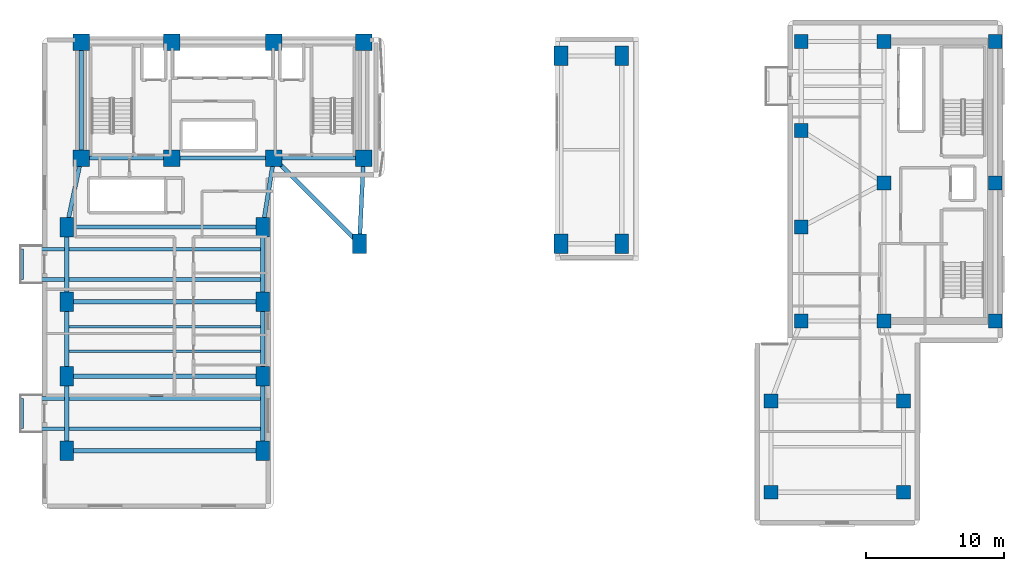
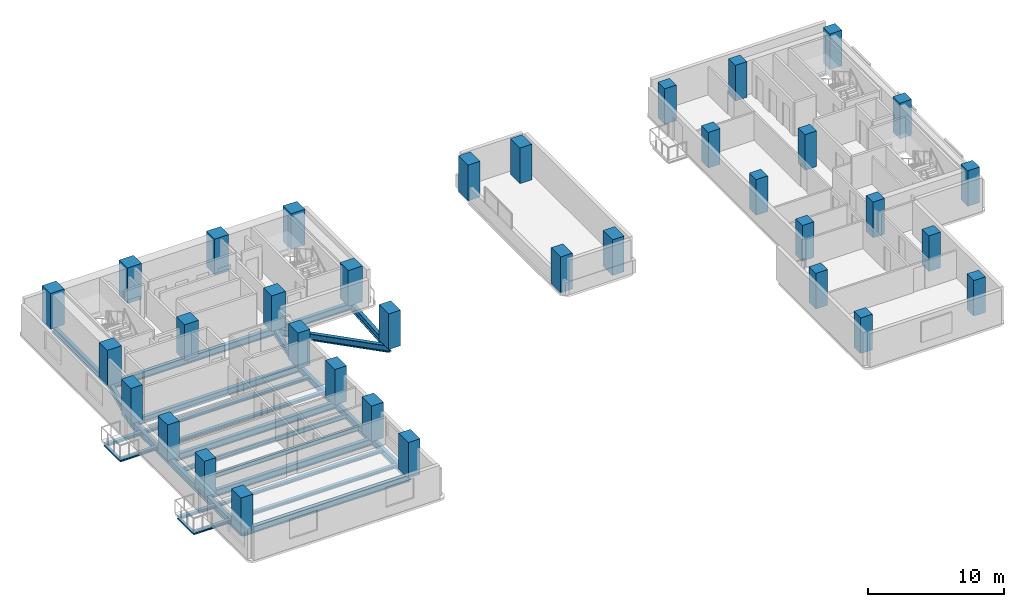
# One storey, part 1 of 12: 35 columns, 26 beams.
"""IFC4 building model written with IfcOpenShell, lengths in metres."""

from ifc_helpers import new_model, si_unit, direction, frame, origin, origin_2d, place, context, subcontext, project, spatial, rectangle, i_section, extrude, material, material_profile, profile_set, type_object, element, save


model = new_model("IFC4")

# Units and contexts
model_context = context("Model", 3, precision=1e-05, world=origin(), true_north=direction((0.0, 1.0)))
body_context = subcontext(model_context, "Body", "Model", "MODEL_VIEW")
ifc_project = project(units=[si_unit("LENGTHUNIT", "METRE"), si_unit("AREAUNIT", "SQUARE_METRE"), si_unit("VOLUMEUNIT", "CUBIC_METRE"), si_unit("PLANEANGLEUNIT", "RADIAN"), si_unit("MASSUNIT", "GRAM", prefix="KILO")], contexts=[model_context])

# Site, building, storey
site_placement = place(None, origin())
site = spatial("IfcSite", under=ifc_project, at=site_placement, CompositionType="ELEMENT")
building_placement = place(site_placement, origin())
building = spatial("IfcBuilding", under=site, at=building_placement, Name="Kuzgunbayir Cultural Tower", CompositionType="ELEMENT")
storey_placement = place(building_placement, frame((0.0, 0.0, 30.199951171875)))
storey = spatial("IfcBuildingStorey", under=building, at=storey_placement, Name="L07", CompositionType="ELEMENT", Elevation=30.199951171875)

# Columns
ifc_material_1 = material(Name="Concrete C60/75", Category="concrete")
ifc_material_profile_1 = material_profile(ifc_material_1, rectangle(XDim=1.199951171875, YDim=1.199951171875, at=origin_2d()), Name="RC 1200x1200")
ifc_profile_set_1 = profile_set([ifc_material_profile_1], Name="Concrete C60/75")
column_type_1 = type_object("IfcColumnType", Name="COL-CORE-1200", PredefinedType="COLUMN", material=ifc_profile_set_1)
for number, where, z_axis, x_axis, name in (
    (1, (6.449951171875, 33.800048828125, 0.0), (0.0, 0.0, 1.0), (1.0, 0.0, 0.0), "L07 T1 Core Boundary Column CC1-1"),
    (2, (13.0, 33.800048828125, 0.0), (0.0, 0.0, 1.0), (1.0, 0.0, 0.0), "L07 T1 Core Boundary Column CC1-2"),
    (3, (20.39990234375, 33.800048828125, 0.0), (0.0, 0.0, 1.0), (1.0, 0.0, 0.0), "L07 T1 Core Boundary Column CC1-3"),
    (4, (26.89990234375, 33.800048828125, 0.0), (0.0, 0.0, 1.0), (1.0, 0.0, 0.0), "L07 T1 Core Boundary Column CC1-4"),
    (5, (6.449951171875, 42.199951171875, 0.0), (0.0, 0.0, 1.0), (1.0, 0.0, 0.0), "L07 T1 Core Boundary Column CC1-5"),
    (6, (13.0, 42.199951171875, 0.0), (0.0, 0.0, 1.0), (1.0, 0.0, 0.0), "L07 T1 Core Boundary Column CC1-6"),
    (7, (20.39990234375, 42.199951171875, 0.0), (0.0, 0.0, 1.0), (1.0, 0.0, 0.0), "L07 T1 Core Boundary Column CC1-7"),
    (8, (26.89990234375, 42.199951171875, 0.0), (0.0, 0.0, 1.0), (1.0, 0.0, 0.0), "L07 T1 Core Boundary Column CC1-8"),
):
    element("IfcColumn", number, at=place(storey_placement, frame(where, z_axis=z_axis, x_axis=x_axis)), inside=storey, type_object=column_type_1, Name=name, PredefinedType="COLUMN", context=body_context, shape_type="SweptSolid", body=[
        extrude(rectangle(XDim=1.199951171875, YDim=1.199951171875, at=origin_2d()), origin(), (0.0, 0.0, 1.0), 3.199951171875),
    ])
ifc_material_profile_2 = material_profile(ifc_material_1, rectangle(XDim=1.0, YDim=1.39990234375, at=origin_2d()), Name="RC 1400x1000")
ifc_profile_set_2 = profile_set([ifc_material_profile_2], Name="Concrete C60/75")
column_type_2 = type_object("IfcColumnType", Name="COL-T1-1400x1000", PredefinedType="COLUMN", material=ifc_profile_set_2)
for number, where, z_axis, x_axis, name in (
    (9, (5.39990234375, 12.60009765625, 0.0), (0.0, 0.0, 1.0), (1.0, 0.0, 0.0), "L07 Tower 1 Wing A Column T1A-W-1"),
    (10, (19.60009765625, 12.60009765625, 0.0), (0.0, 0.0, 1.0), (1.0, 0.0, 0.0), "L07 Tower 1 Wing A Column T1A-E-1"),
    (11, (5.39990234375, 18.0, 0.0), (0.0, 0.0, 1.0), (1.0, 0.0, 0.0), "L07 Tower 1 Wing A Column T1A-W-2"),
    (12, (19.60009765625, 18.0, 0.0), (0.0, 0.0, 1.0), (1.0, 0.0, 0.0), "L07 Tower 1 Wing A Column T1A-E-2"),
    (13, (5.39990234375, 23.39990234375, 0.0), (0.0, 0.0, 1.0), (1.0, 0.0, 0.0), "L07 Tower 1 Wing A Column T1A-W-3"),
    (14, (19.60009765625, 23.39990234375, 0.0), (0.0, 0.0, 1.0), (1.0, 0.0, 0.0), "L07 Tower 1 Wing A Column T1A-E-3"),
    (15, (5.39990234375, 28.800048828125, 0.0), (0.0, 0.0, 1.0), (1.0, 0.0, 0.0), "L07 Tower 1 Wing A Column T1A-W-4"),
    (16, (19.60009765625, 28.800048828125, 0.0), (0.0, 0.0, 1.0), (1.0, 0.0, 0.0), "L07 Tower 1 Wing A Column T1A-E-4"),
    (17, (26.60009765625, 27.60009765625, 0.0), (0.0, 0.0, 1.0), (1.0, 0.0, 0.0), "L07 Tower 1 Wing B Column T1B-1-1"),
    (18, (41.199951171875, 27.60009765625, 0.0), (0.0, 0.0, 1.0), (1.0, 0.0, 0.0), "L07 Tower 1 Wing B Column T1B-4-1"),
    (19, (41.199951171875, 41.199951171875, 0.0), (0.0, 0.0, 1.0), (1.0, 0.0, 0.0), "L07 Tower 1 Wing B Column T1B-4-2"),
    (20, (45.60009765625, 27.60009765625, 0.0), (0.0, 0.0, 1.0), (1.0, 0.0, 0.0), "L07 Tower 1 Wing B Column T1B-5-1"),
    (21, (45.60009765625, 41.199951171875, 0.0), (0.0, 0.0, 1.0), (1.0, 0.0, 0.0), "L07 Tower 1 Wing B Column T1B-5-2"),
):
    element("IfcColumn", number, at=place(storey_placement, frame(where, z_axis=z_axis, x_axis=x_axis)), inside=storey, type_object=column_type_2, Name=name, PredefinedType="COLUMN", context=body_context, shape_type="SweptSolid", body=[
        extrude(rectangle(XDim=1.0, YDim=1.39990234375, at=origin_2d()), origin(), (0.0, 0.0, 1.0), 3.199951171875),
    ])
ifc_material_profile_3 = material_profile(ifc_material_1, rectangle(XDim=1.0, YDim=1.0, at=origin_2d()), Name="RC 1000x1000")
ifc_profile_set_3 = profile_set([ifc_material_profile_3], Name="Concrete C60/75")
column_type_3 = type_object("IfcColumnType", Name="COL-T2-1000", PredefinedType="COLUMN", material=ifc_profile_set_3)
for number, where, z_axis, x_axis, name in (
    (22, (64.60009765625, 22.0, 0.0), (0.0, 0.0, 1.0), (1.0, 0.0, 0.0), "L07 T2 Core Boundary Column CC2-1"),
    (23, (72.64990234375, 22.0, 0.0), (0.0, 0.0, 1.0), (1.0, 0.0, 0.0), "L07 T2 Core Boundary Column CC2-2"),
    (24, (64.60009765625, 32.0, 0.0), (0.0, 0.0, 1.0), (1.0, 0.0, 0.0), "L07 T2 Core Boundary Column CC2-3"),
    (25, (72.64990234375, 32.0, 0.0), (0.0, 0.0, 1.0), (1.0, 0.0, 0.0), "L07 T2 Core Boundary Column CC2-4"),
    (26, (64.60009765625, 42.25, 0.0), (0.0, 0.0, 1.0), (1.0, 0.0, 0.0), "L07 T2 Core Boundary Column CC2-5"),
    (27, (72.64990234375, 42.25, 0.0), (0.0, 0.0, 1.0), (1.0, 0.0, 0.0), "L07 T2 Core Boundary Column CC2-6"),
):
    element("IfcColumn", number, at=place(storey_placement, frame(where, z_axis=z_axis, x_axis=x_axis)), inside=storey, type_object=column_type_3, Name=name, PredefinedType="COLUMN", context=body_context, shape_type="SweptSolid", body=[
        extrude(rectangle(XDim=1.0, YDim=1.0, at=origin_2d()), origin(), (0.0, 0.0, 1.0), 3.199951171875),
    ])
ifc_material_profile_4 = material_profile(ifc_material_1, rectangle(XDim=1.0, YDim=1.0, at=origin_2d()), Name="RC 1000x1000")
ifc_profile_set_4 = profile_set([ifc_material_profile_4], Name="Concrete C60/75")
column_type_4 = type_object("IfcColumnType", Name="COL-T2-1000-EXT", PredefinedType="COLUMN", material=ifc_profile_set_4)
for number, where, z_axis, x_axis, name in (
    (28, (58.60009765625, 22.0, 0.0), (0.0, 0.0, 1.0), (1.0, 0.0, 0.0), "L07 Companion Wing A Column T2A-W-1"),
    (29, (58.60009765625, 28.800048828125, 0.0), (0.0, 0.0, 1.0), (1.0, 0.0, 0.0), "L07 Companion Wing A Column T2A-W-2"),
    (30, (58.60009765625, 35.800048828125, 0.0), (0.0, 0.0, 1.0), (1.0, 0.0, 0.0), "L07 Companion Wing A Column T2A-W-3"),
    (31, (58.60009765625, 42.25, 0.0), (0.0, 0.0, 1.0), (1.0, 0.0, 0.0), "L07 Companion Wing A Column T2A-W-4"),
    (32, (56.39990234375, 9.60009765625, 0.0), (0.0, 0.0, 1.0), (1.0, 0.0, 0.0), "L07 Companion Wing B Column T2B-1-1"),
    (33, (56.39990234375, 16.199951171875, 0.0), (0.0, 0.0, 1.0), (1.0, 0.0, 0.0), "L07 Companion Wing B Column T2B-1-2"),
    (34, (66.0, 9.60009765625, 0.0), (0.0, 0.0, 1.0), (1.0, 0.0, 0.0), "L07 Companion Wing B Column T2B-2-1"),
    (35, (66.0, 16.199951171875, 0.0), (0.0, 0.0, 1.0), (1.0, 0.0, 0.0), "L07 Companion Wing B Column T2B-2-2"),
):
    element("IfcColumn", number, at=place(storey_placement, frame(where, z_axis=z_axis, x_axis=x_axis)), inside=storey, type_object=column_type_4, Name=name, PredefinedType="COLUMN", context=body_context, shape_type="SweptSolid", body=[
        extrude(rectangle(XDim=1.0, YDim=1.0, at=origin_2d()), origin(), (0.0, 0.0, 1.0), 3.199951171875),
    ])

# Beams
ifc_material_2 = material(Name="Steel S355J2", Category="steel")
ifc_material_profile_5 = material_profile(ifc_material_2, i_section(OverallWidth=0.280029296875, OverallDepth=0.280029296875, WebThickness=0.010498046875, FlangeThickness=0.01806640625, FilletRadius=0.02392578125, at=origin_2d()), Name="HEB 280")
ifc_profile_set_5 = profile_set([ifc_material_profile_5], Name="Steel S355J2")
beam_type_1 = type_object("IfcBeamType", Name="BM-BAL-HEB280", PredefinedType="BEAM", material=ifc_profile_set_5)
for number, where, z_axis, x_axis, name in (
    (36, (2.159912109375, 14.199951171875, -0.33984375), (1.0, 0.0, 0.0), (0.0, 1.0, 0.0), "L07 Balcony Outrigger Beam BAL-L07-WA1.1"),
    (37, (2.159912109375, 16.39990234375, -0.33984375), (1.0, 0.0, 0.0), (0.0, 1.0, 0.0), "L07 Balcony Outrigger Beam BAL-L07-WA1.2"),
    (38, (2.159912109375, 25.0, -0.33984375), (1.0, 0.0, 0.0), (0.0, 1.0, 0.0), "L07 Balcony Outrigger Beam BAL-L07-WA3.1"),
    (39, (2.159912109375, 27.199951171875, -0.33984375), (1.0, 0.0, 0.0), (0.0, 1.0, 0.0), "L07 Balcony Outrigger Beam BAL-L07-WA3.2"),
):
    element("IfcBeam", number, at=place(storey_placement, frame(where, z_axis=z_axis, x_axis=x_axis)), inside=storey, type_object=beam_type_1, Name=name, PredefinedType="BEAM", context=body_context, shape_type="SweptSolid", body=[
        extrude(i_section(OverallWidth=0.280029296875, OverallDepth=0.280029296875, WebThickness=0.010498046875, FlangeThickness=0.01806640625, FilletRadius=0.02392578125, at=origin_2d()), origin(), (0.0, 0.0, 1.0), 17.440185546875),
    ])
ifc_material_profile_6 = material_profile(ifc_material_2, i_section(OverallWidth=0.199951171875, OverallDepth=0.199951171875, WebThickness=0.009033203125, FlangeThickness=0.014892578125, FilletRadius=0.01806640625, at=origin_2d()), Name="HEB 200")
ifc_profile_set_6 = profile_set([ifc_material_profile_6], Name="Steel S355J2")
beam_type_2 = type_object("IfcBeamType", Name="BM-CAN-HEB200", PredefinedType="BEAM", material=ifc_profile_set_6)
for number, where, z_axis, x_axis, name in (
    (40, (2.159912109375, 14.199951171875, -0.300048828125), (0.0, 1.0, 0.0), (-1.0, 0.0, 0.0), "L07 Balcony Edge Header BAL-L07-WA1"),
    (41, (2.159912109375, 25.0, -0.300048828125), (0.0, 1.0, 0.0), (-1.0, 0.0, 0.0), "L07 Balcony Edge Header BAL-L07-WA3"),
):
    element("IfcBeam", number, at=place(storey_placement, frame(where, z_axis=z_axis, x_axis=x_axis)), inside=storey, type_object=beam_type_2, Name=name, PredefinedType="BEAM", context=body_context, shape_type="SweptSolid", body=[
        extrude(i_section(OverallWidth=0.199951171875, OverallDepth=0.199951171875, WebThickness=0.009033203125, FlangeThickness=0.014892578125, FilletRadius=0.01806640625, at=origin_2d()), origin(), (0.0, 0.0, 1.0), 2.199951171875),
    ])
ifc_material_profile_7 = material_profile(ifc_material_2, i_section(OverallWidth=0.300048828125, OverallDepth=0.60009765625, WebThickness=0.015380859375, FlangeThickness=0.030029296875, FilletRadius=0.027099609375, at=origin_2d()), Name="HEB 600")
ifc_profile_set_7 = profile_set([ifc_material_profile_7], Name="Steel S355J2")
beam_type_3 = type_object("IfcBeamType", Name="BM-EXT-HEB600", PredefinedType="BEAM", material=ifc_profile_set_7)
for number, where, z_axis, x_axis, name in (
    (42, (5.39990234375, 12.60009765625, -0.47998046875), (0.0, 1.0, 0.0), (-1.0, 0.0, 0.0), "L07 Wing A West Girder 1"),
    (43, (19.60009765625, 12.60009765625, -0.47998046875), (0.0, 1.0, 0.0), (-1.0, 0.0, 0.0), "L07 Wing A East Girder 1"),
    (44, (5.39990234375, 18.0, -0.47998046875), (0.0, 1.0, 0.0), (-1.0, 0.0, 0.0), "L07 Wing A West Girder 2"),
    (45, (19.60009765625, 18.0, -0.47998046875), (0.0, 1.0, 0.0), (-1.0, 0.0, 0.0), "L07 Wing A East Girder 2"),
):
    element("IfcBeam", number, at=place(storey_placement, frame(where, z_axis=z_axis, x_axis=x_axis)), inside=storey, type_object=beam_type_3, Name=name, PredefinedType="BEAM", context=body_context, shape_type="SweptSolid", body=[
        extrude(i_section(OverallWidth=0.300048828125, OverallDepth=0.60009765625, WebThickness=0.015380859375, FlangeThickness=0.030029296875, FilletRadius=0.027099609375, at=origin_2d()), origin(), (0.0, 0.0, 1.0), 5.39990234375),
    ])
for number, where, z_axis, x_axis, name in (
    (46, (5.39990234375, 23.39990234375, -0.47998046875), (0.0, 1.0, 0.0), (-1.0, 0.0, 0.0), "L07 Wing A West Girder 3"),
    (47, (19.60009765625, 23.39990234375, -0.47998046875), (0.0, 1.0, 0.0), (-1.0, 0.0, 0.0), "L07 Wing A East Girder 3"),
):
    element("IfcBeam", number, at=place(storey_placement, frame(where, z_axis=z_axis, x_axis=x_axis)), inside=storey, type_object=beam_type_3, Name=name, PredefinedType="BEAM", context=body_context, shape_type="SweptSolid", body=[
        extrude(i_section(OverallWidth=0.300048828125, OverallDepth=0.60009765625, WebThickness=0.015380859375, FlangeThickness=0.030029296875, FilletRadius=0.027099609375, at=origin_2d()), origin(), (0.0, 0.0, 1.0), 5.400146484375),
    ])
ifc_material_profile_8 = material_profile(ifc_material_2, i_section(OverallWidth=0.300048828125, OverallDepth=0.60009765625, WebThickness=0.015380859375, FlangeThickness=0.030029296875, FilletRadius=0.027099609375, at=origin_2d()), Name="HEB 600")
ifc_profile_set_8 = profile_set([ifc_material_profile_8], Name="Steel S355J2")
beam_type_4 = type_object("IfcBeamType", Name="BM-GIR-HEB600", PredefinedType="BEAM", material=ifc_profile_set_8)
beam_1_placement = place(storey_placement, frame((6.449951171875, 33.800048828125, -0.47998046875), z_axis=(1.0, 0.0, 0.0), x_axis=(0.0, 1.0, 0.0)))
element("IfcBeam", 48, at=beam_1_placement, inside=storey, type_object=beam_type_4, Name="L07 Core South Girder 1", PredefinedType="BEAM", context=body_context, shape_type="SweptSolid", body=[
    extrude(i_section(OverallWidth=0.300048828125, OverallDepth=0.60009765625, WebThickness=0.015380859375, FlangeThickness=0.030029296875, FilletRadius=0.027099609375, at=origin_2d()), origin(), (0.0, 0.0, 1.0), 6.550048828125),
])
beam_2_placement = place(storey_placement, frame((13.0, 33.800048828125, -0.47998046875), z_axis=(1.0, 0.0, 0.0), x_axis=(0.0, 1.0, 0.0)))
element("IfcBeam", 49, at=beam_2_placement, inside=storey, type_object=beam_type_4, Name="L07 Core South Girder 2", PredefinedType="BEAM", context=body_context, shape_type="SweptSolid", body=[
    extrude(i_section(OverallWidth=0.300048828125, OverallDepth=0.60009765625, WebThickness=0.015380859375, FlangeThickness=0.030029296875, FilletRadius=0.027099609375, at=origin_2d()), origin(), (0.0, 0.0, 1.0), 7.39990234375),
])
beam_3_placement = place(storey_placement, frame((20.39990234375, 33.800048828125, -0.47998046875), z_axis=(1.0, 0.0, 0.0), x_axis=(0.0, 1.0, 0.0)))
element("IfcBeam", 50, at=beam_3_placement, inside=storey, type_object=beam_type_4, Name="L07 Core South Girder 3", PredefinedType="BEAM", context=body_context, shape_type="SweptSolid", body=[
    extrude(i_section(OverallWidth=0.300048828125, OverallDepth=0.60009765625, WebThickness=0.015380859375, FlangeThickness=0.030029296875, FilletRadius=0.027099609375, at=origin_2d()), origin(), (0.0, 0.0, 1.0), 6.5),
])
beam_4_placement = place(storey_placement, frame((6.449951171875, 33.800048828125, -0.47998046875), z_axis=(0.0, 1.0, 0.0), x_axis=(-1.0, 0.0, 0.0)))
element("IfcBeam", 51, at=beam_4_placement, inside=storey, type_object=beam_type_4, Name="L07 Core West Edge Girder", PredefinedType="BEAM", context=body_context, shape_type="SweptSolid", body=[
    extrude(i_section(OverallWidth=0.300048828125, OverallDepth=0.60009765625, WebThickness=0.015380859375, FlangeThickness=0.030029296875, FilletRadius=0.027099609375, at=origin_2d()), origin(), (0.0, 0.0, 1.0), 8.39990234375),
])
for number, where, z_axis, x_axis, name in (
    (52, (5.39990234375, 12.60009765625, -0.47998046875), (1.0, 0.0, 0.0), (0.0, 1.0, 0.0), "L07 Wing A Transverse Girder 1"),
    (53, (5.39990234375, 18.0, -0.47998046875), (1.0, 0.0, 0.0), (0.0, 1.0, 0.0), "L07 Wing A Transverse Girder 2"),
    (54, (5.39990234375, 23.39990234375, -0.47998046875), (1.0, 0.0, 0.0), (0.0, 1.0, 0.0), "L07 Wing A Transverse Girder 3"),
    (55, (5.39990234375, 28.800048828125, -0.47998046875), (1.0, 0.0, 0.0), (0.0, 1.0, 0.0), "L07 Wing A Transverse Girder 4"),
):
    element("IfcBeam", number, at=place(storey_placement, frame(where, z_axis=z_axis, x_axis=x_axis)), inside=storey, type_object=beam_type_4, Name=name, PredefinedType="BEAM", context=body_context, shape_type="SweptSolid", body=[
        extrude(i_section(OverallWidth=0.300048828125, OverallDepth=0.60009765625, WebThickness=0.015380859375, FlangeThickness=0.030029296875, FilletRadius=0.027099609375, at=origin_2d()), origin(), (0.0, 0.0, 1.0), 14.2001953125),
    ])
beam_5_placement = place(storey_placement, frame((5.39990234375, 28.800048828125, -0.47998046875), z_axis=(0.205526387753, 0.978651574329, 0.0), x_axis=(-0.978651574329, 0.205526387753, 0.0)))
element("IfcBeam", 56, at=beam_5_placement, inside=storey, type_object=beam_type_4, Name="L07 Wing A West Core Floor Girder", PredefinedType="BEAM", context=body_context, shape_type="SweptSolid", body=[
    extrude(i_section(OverallWidth=0.300048828125, OverallDepth=0.60009765625, WebThickness=0.015380859375, FlangeThickness=0.030029296875, FilletRadius=0.027099609375, at=origin_2d()), origin(), (0.0, 0.0, 1.0), 5.109130859375),
])
beam_6_placement = place(storey_placement, frame((19.60009765625, 28.800048828125, -0.47998046875), z_axis=(0.157952891656, 0.987446648694, 0.0), x_axis=(-0.987446648694, 0.157952891656, 0.0)))
element("IfcBeam", 57, at=beam_6_placement, inside=storey, type_object=beam_type_4, Name="L07 Wing A East Core Floor Girder", PredefinedType="BEAM", context=body_context, shape_type="SweptSolid", body=[
    extrude(i_section(OverallWidth=0.300048828125, OverallDepth=0.60009765625, WebThickness=0.015380859375, FlangeThickness=0.030029296875, FilletRadius=0.027099609375, at=origin_2d()), origin(), (0.0, 0.0, 1.0), 5.0634765625),
])
beam_7_placement = place(storey_placement, frame((20.39990234375, 33.800048828125, -0.47998046875), z_axis=(0.707120702941, -0.707092859158, 0.0), x_axis=(0.707092859158, 0.707120702941, 0.0)))
element("IfcBeam", 58, at=beam_7_placement, inside=storey, type_object=beam_type_4, Name="L07 Portal West Tie", PredefinedType="BEAM", context=body_context, shape_type="SweptSolid", body=[
    extrude(i_section(OverallWidth=0.300048828125, OverallDepth=0.60009765625, WebThickness=0.015380859375, FlangeThickness=0.030029296875, FilletRadius=0.027099609375, at=origin_2d()), origin(), (0.0, 0.0, 1.0), 8.768310546875),
])
beam_8_placement = place(storey_placement, frame((26.60009765625, 27.60009765625, -0.47998046875), z_axis=(0.048299539143, 0.998832896194, 0.0), x_axis=(-0.998832896194, 0.048299539143, 0.0)))
element("IfcBeam", 59, at=beam_8_placement, inside=storey, type_object=beam_type_4, Name="L07 Portal West Jamb Girder", PredefinedType="BEAM", context=body_context, shape_type="SweptSolid", body=[
    extrude(i_section(OverallWidth=0.300048828125, OverallDepth=0.60009765625, WebThickness=0.015380859375, FlangeThickness=0.030029296875, FilletRadius=0.027099609375, at=origin_2d()), origin(), (0.0, 0.0, 1.0), 6.207275390625),
])
ifc_material_profile_9 = material_profile(ifc_material_2, i_section(OverallWidth=0.179931640625, OverallDepth=0.39990234375, WebThickness=0.008544921875, FlangeThickness=0.013427734375, FilletRadius=0.02099609375, at=origin_2d()), Name="IPE 400")
ifc_profile_set_9 = profile_set([ifc_material_profile_9], Name="Steel S355J2")
beam_type_5 = type_object("IfcBeamType", Name="BM-JST-IPE400", PredefinedType="JOIST", material=ifc_profile_set_9)
for number, where, z_axis, x_axis, name in (
    (60, (5.550048828125, 19.800048828125, -0.3798828125), (1.0, 0.0, 0.0), (0.0, 1.0, 0.0), "L07 Wing A Secondary Joist 3"),
    (61, (5.550048828125, 21.60009765625, -0.3798828125), (1.0, 0.0, 0.0), (0.0, 1.0, 0.0), "L07 Wing A Secondary Joist 4"),
):
    element("IfcBeam", number, at=place(storey_placement, frame(where, z_axis=z_axis, x_axis=x_axis)), inside=storey, type_object=beam_type_5, Name=name, PredefinedType="JOIST", context=body_context, shape_type="SweptSolid", body=[
        extrude(i_section(OverallWidth=0.179931640625, OverallDepth=0.39990234375, WebThickness=0.008544921875, FlangeThickness=0.013427734375, FilletRadius=0.02099609375, at=origin_2d()), origin(), (0.0, 0.0, 1.0), 13.89990234375),
    ])

save(model, "model.ifc")
